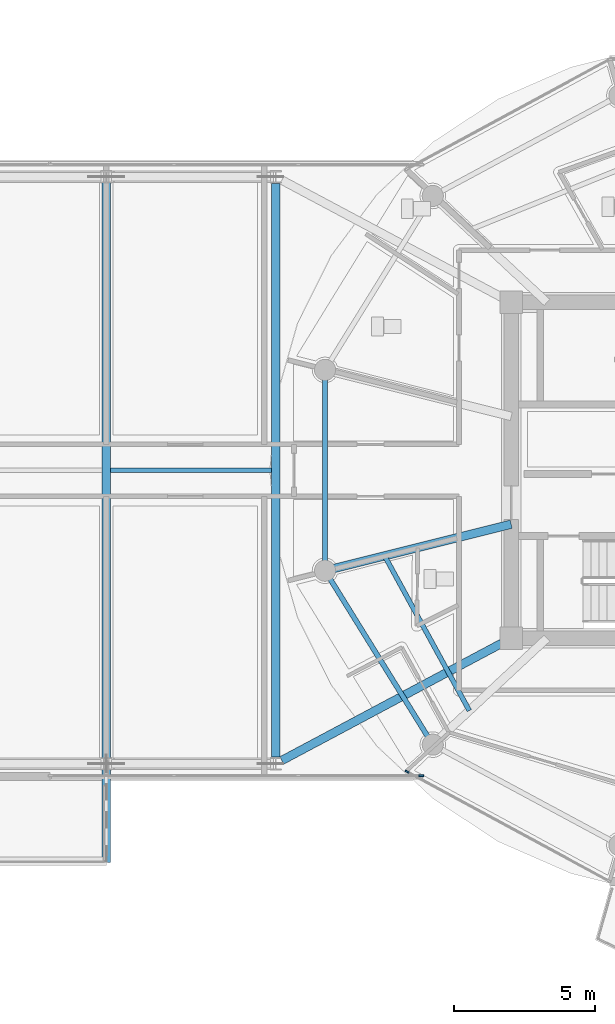
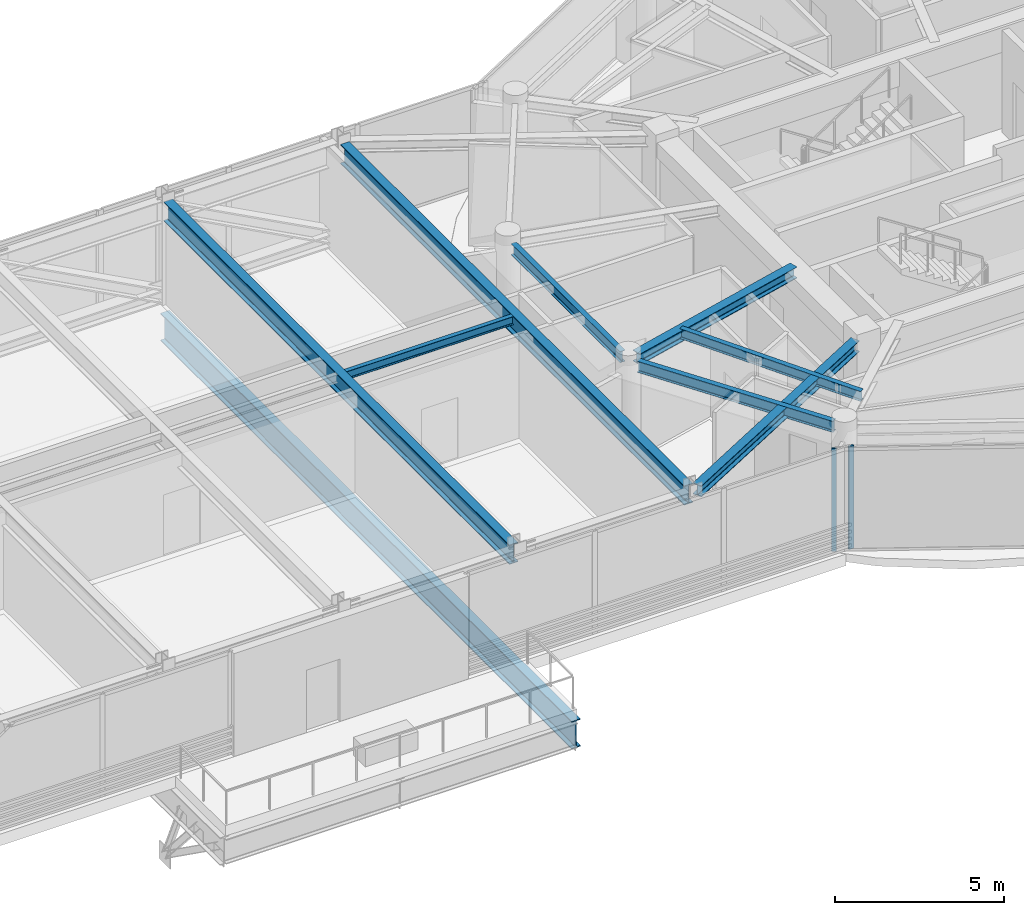
# One storey, part 7 of 31: 9 beams, 2 members, 2 elements without a shape of their own.
"""IFC4 building model written with IfcOpenShell, lengths in metres."""

from ifc_helpers import new_model, si_unit, direction, frame, origin, origin_2d, place, context, subcontext, project, spatial, rectangle, i_section, extrude, source, transform, mapped, material, layer, layer_set, material_profile, profile_set, type_object, type_shapes, element, aggregate, save


model = new_model("IFC4")

# Units and contexts
model_context = context("Model", 3, precision=1e-05, world=origin(), true_north=direction((0.0, 1.0)))
body_context = subcontext(model_context, "Body", "Model", "MODEL_VIEW")
ifc_project = project(units=[si_unit("LENGTHUNIT", "METRE"), si_unit("AREAUNIT", "SQUARE_METRE"), si_unit("VOLUMEUNIT", "CUBIC_METRE"), si_unit("PLANEANGLEUNIT", "RADIAN"), si_unit("MASSUNIT", "GRAM", prefix="KILO")], contexts=[model_context])

# Site, building, storey
site_placement = place(None, origin())
site = spatial("IfcSite", under=ifc_project, at=site_placement, CompositionType="ELEMENT")
building_placement = place(site_placement, origin())
building = spatial("IfcBuilding", under=site, at=building_placement, Name="Norrkilde Senior Care Towers", CompositionType="ELEMENT")
storey_placement = place(building_placement, frame((0.0, 0.0, 199.800048828125)))
storey = spatial("IfcBuildingStorey", under=building, at=storey_placement, Name="L62", CompositionType="ELEMENT", Elevation=199.800048828125)

# Beams
ifc_material_1 = material(Name="Steel S355", Category="steel")
ifc_material_profile_1 = material_profile(ifc_material_1, i_section(OverallWidth=0.179931640625, OverallDepth=0.39990234375, WebThickness=0.008544921875, FlangeThickness=0.013427734375, FilletRadius=0.02099609375, at=origin_2d()), Name="IPE 400")
ifc_profile_set_1 = profile_set([ifc_material_profile_1], Name="Steel S355")
beam_type_1 = type_object("IfcBeamType", Name="Perimeter Ring Spandrel Z4 IPE400", PredefinedType="SPANDREL", material=ifc_profile_set_1)
shared_shape_1 = source(origin(), body_context, "Body", "SweptSolid", [
    extrude(i_section(OverallWidth=0.179931640625, OverallDepth=0.39990234375, WebThickness=0.008544921875, FlangeThickness=0.013427734375, FilletRadius=0.02099609375, at=origin_2d()), origin(), (0.0, 0.0, 1.0), 6.58056640625),
])
beam_1_placement = place(storey_placement, frame((13.928955078125, -3.843505859375, 3.510009765625), z_axis=(0.526529583789, -0.850156807533, 0.0), x_axis=(0.850156807533, 0.526529583789, 0.0)))
element("IfcBeam", 1, at=beam_1_placement, inside=storey, type_object=beam_type_1, Name="L62 Drum E Perimeter Spandrel 07", PredefinedType="SPANDREL", context=body_context, shape_type="MappedRepresentation", body=[
    mapped(shared_shape_1, transform((0.0, 0.0, 0.0), x_axis=(1.0, 0.0, 0.0), y_axis=(0.0, 1.0, 0.0), z_axis=(0.0, 0.0, 1.0), scale=1.0)),
])
ifc_material_profile_2 = material_profile(ifc_material_1, i_section(OverallWidth=0.300048828125, OverallDepth=0.39990234375, WebThickness=0.013427734375, FlangeThickness=0.02392578125, FilletRadius=0.027099609375, at=origin_2d()), Name="HEB 400")
ifc_profile_set_2 = profile_set([ifc_material_profile_2], Name="Steel S355")
beam_type_2 = type_object("IfcBeamType", Name="Radial Floor Beam Z4 HEB400", PredefinedType="BEAM", material=ifc_profile_set_2)
shared_shape_2 = source(origin(), body_context, "Body", "SweptSolid", [
    extrude(i_section(OverallWidth=0.300048828125, OverallDepth=0.39990234375, WebThickness=0.013427734375, FlangeThickness=0.02392578125, FilletRadius=0.027099609375, at=origin_2d()), origin(), (0.0, 0.0, 1.0), 6.465087890625),
])
beam_2_placement = place(storey_placement, frame((20.35009765625, -1.910888671875, 3.510009765625), z_axis=(-0.970195788563, -0.242322371758, 0.0), x_axis=(0.242322371758, -0.970195788563, 0.0)))
element("IfcBeam", 2, at=beam_2_placement, inside=storey, type_object=beam_type_2, Name="L62 Drum E Radial Floor Beam 07", PredefinedType="BEAM", context=body_context, shape_type="MappedRepresentation", body=[
    mapped(shared_shape_2, transform((0.0, 0.0, 0.0), x_axis=(1.0, 0.0, 0.0), y_axis=(0.0, 1.0, 0.0), z_axis=(0.0, 0.0, 1.0), scale=1.0)),
])
shared_shape_3 = source(origin(), body_context, "Body", "SweptSolid", [
    extrude(i_section(OverallWidth=0.179931640625, OverallDepth=0.39990234375, WebThickness=0.008544921875, FlangeThickness=0.013427734375, FilletRadius=0.02099609375, at=origin_2d()), origin(), (0.0, 0.0, 1.0), 6.44775390625),
])
type_shapes(beam_type_1, [shared_shape_1, shared_shape_3])
beam_3_placement = place(storey_placement, frame((13.752685546875, 3.223876953125, 3.510009765625), z_axis=(0.0, -1.0, 0.0), x_axis=(1.0, 0.0, 0.0)))
element("IfcBeam", 3, at=beam_3_placement, inside=storey, type_object=beam_type_1, Name="L62 Drum E Perimeter Spandrel 06", PredefinedType="SPANDREL", context=body_context, shape_type="MappedRepresentation", body=[
    mapped(shared_shape_3, transform((0.0, 0.0, 0.0), x_axis=(1.0, 0.0, 0.0), y_axis=(0.0, 1.0, 0.0), z_axis=(0.0, 0.0, 1.0), scale=1.0)),
])
ifc_material_profile_3 = material_profile(ifc_material_1, i_section(OverallWidth=0.169921875, OverallDepth=0.360107421875, WebThickness=0.008056640625, FlangeThickness=0.0126953125, FilletRadius=0.01806640625, at=origin_2d()), Name="IPE 360")
ifc_profile_set_3 = profile_set([ifc_material_profile_3], Name="Steel S355")
beam_type_3 = type_object("IfcBeamType", Name="Secondary Floor Joist IPE360", PredefinedType="JOIST", material=ifc_profile_set_3)
shared_shape_4 = source(origin(), body_context, "Body", "SweptSolid", [
    extrude(i_section(OverallWidth=0.169921875, OverallDepth=0.360107421875, WebThickness=0.008056640625, FlangeThickness=0.0126953125, FilletRadius=0.01806640625, at=origin_2d()), origin(), (0.0, 0.0, 1.0), 6.25146484375),
])
type_shapes(beam_type_3, [shared_shape_4])
beam_4_placement = place(storey_placement, frame((15.86376953125, -3.031494140625, 3.530029296875), z_axis=(0.480115752653, -0.877205143655, 0.0), x_axis=(0.877205143655, 0.480115752653, 0.0)))
element("IfcBeam", 4, at=beam_4_placement, inside=storey, type_object=beam_type_3, Name="L62 Drum E Secondary Floor Joist 3", PredefinedType="JOIST", context=body_context, shape_type="MappedRepresentation", body=[
    mapped(shared_shape_4, transform((0.0, 0.0, 0.0), x_axis=(1.0, 0.0, 0.0), y_axis=(0.0, 1.0, 0.0), z_axis=(0.0, 0.0, 1.0), scale=1.0)),
])
ifc_material_profile_4 = material_profile(ifc_material_1, i_section(OverallWidth=0.300048828125, OverallDepth=0.699951171875, WebThickness=0.01708984375, FlangeThickness=0.031982421875, FilletRadius=0.027099609375, at=origin_2d()), Name="HEB 700")
ifc_profile_set_4 = profile_set([ifc_material_profile_4], Name="Steel S355")
beam_type_4 = type_object("IfcBeamType", Name="Bridge Cross Girder HEB700", PredefinedType="USERDEFINED", material=ifc_profile_set_4)
shared_shape_5 = source(origin(), body_context, "Body", "SweptSolid", [
    extrude(i_section(OverallWidth=0.300048828125, OverallDepth=0.699951171875, WebThickness=0.01708984375, FlangeThickness=0.031982421875, FilletRadius=0.027099609375, at=origin_2d()), origin(), (0.0, 0.0, 1.0), 20.31982421875),
])
beam_5_placement = place(storey_placement, frame((12.0, -10.159912109375, 3.35986328125), z_axis=(0.0, 1.0, 0.0), x_axis=(-1.0, 0.0, 0.0)))
element("IfcBeam", 5, at=beam_5_placement, inside=storey, type_object=beam_type_4, Name="L62 Sky-Gate Bridge Cross Girder +12", ObjectType="GIRDER", PredefinedType="USERDEFINED", context=body_context, shape_type="MappedRepresentation", body=[
    mapped(shared_shape_5, transform((0.0, 0.0, 0.0), x_axis=(1.0, 0.0, 0.0), y_axis=(0.0, 1.0, 0.0), z_axis=(0.0, 0.0, 1.0), scale=1.0)),
])
shared_shape_6 = source(origin(), body_context, "Body", "SweptSolid", [
    extrude(i_section(OverallWidth=0.300048828125, OverallDepth=0.699951171875, WebThickness=0.01708984375, FlangeThickness=0.031982421875, FilletRadius=0.027099609375, at=origin_2d()), origin(), (0.0, 0.0, 1.0), 20.43994140625),
])
type_shapes(beam_type_4, [shared_shape_5, shared_shape_6])
beam_6_placement = place(storey_placement, frame((6.0, -10.219970703125, 3.35986328125), z_axis=(0.0, 1.0, 0.0), x_axis=(-1.0, 0.0, 0.0)))
element("IfcBeam", 6, at=beam_6_placement, inside=storey, type_object=beam_type_4, Name="L62 Sky-Gate Bridge Cross Girder +6", ObjectType="GIRDER", PredefinedType="USERDEFINED", context=body_context, shape_type="MappedRepresentation", body=[
    mapped(shared_shape_6, transform((0.0, 0.0, 0.0), x_axis=(1.0, 0.0, 0.0), y_axis=(0.0, 1.0, 0.0), z_axis=(0.0, 0.0, 1.0), scale=1.0)),
])
shared_shape_7 = source(origin(), body_context, "Body", "SweptSolid", [
    extrude(i_section(OverallWidth=0.300048828125, OverallDepth=0.39990234375, WebThickness=0.013427734375, FlangeThickness=0.02392578125, FilletRadius=0.027099609375, at=origin_2d()), origin(), (0.0, 0.0, 1.0), 8.831787109375),
])
type_shapes(beam_type_2, [shared_shape_2, shared_shape_7])
beam_7_placement = place(storey_placement, frame((12.220703125, -10.282470703125, 3.510009765625), z_axis=(0.882492172381, 0.470327083727, 0.0), x_axis=(-0.470327083727, 0.882492172381, 0.0)))
element("IfcBeam", 7, at=beam_7_placement, inside=storey, type_object=beam_type_2, Name="L62 Sky-Gate Bridge Girder S6", PredefinedType="BEAM", context=body_context, shape_type="MappedRepresentation", body=[
    mapped(shared_shape_7, transform((0.0, 0.0, 0.0), x_axis=(1.0, 0.0, 0.0), y_axis=(0.0, 1.0, 0.0), z_axis=(0.0, 0.0, 1.0), scale=1.0)),
])
ifc_material_profile_5 = material_profile(ifc_material_1, i_section(OverallWidth=0.14990234375, OverallDepth=0.300048828125, WebThickness=0.007080078125, FlangeThickness=0.0107421875, FilletRadius=0.014892578125, at=origin_2d()), Name="IPE 300")
ifc_profile_set_5 = profile_set([ifc_material_profile_5], Name="Steel S355")
beam_type_5 = type_object("IfcBeamType", Name="Bridge Deck Joist IPE300", PredefinedType="JOIST", material=ifc_profile_set_5)
shared_shape_8 = source(origin(), body_context, "Body", "SweptSolid", [
    extrude(i_section(OverallWidth=0.14990234375, OverallDepth=0.300048828125, WebThickness=0.007080078125, FlangeThickness=0.0107421875, FilletRadius=0.014892578125, at=origin_2d()), origin(), (0.0, 0.0, 1.0), 5.7099609375),
])
type_shapes(beam_type_5, [shared_shape_8])
beam_8_placement = place(storey_placement, frame((6.14501953125, 0.0, 3.56005859375), z_axis=(1.0, 0.0, 0.0), x_axis=(0.0, 1.0, 0.0)))
element("IfcBeam", 8, at=beam_8_placement, inside=storey, type_object=beam_type_5, Name="L62 Bridge Deck Joist 4", PredefinedType="JOIST", context=body_context, shape_type="MappedRepresentation", body=[
    mapped(shared_shape_8, transform((0.0, 0.0, 0.0), x_axis=(1.0, 0.0, 0.0), y_axis=(0.0, 1.0, 0.0), z_axis=(0.0, 0.0, 1.0), scale=1.0)),
])
ifc_material_profile_6 = material_profile(ifc_material_1, i_section(OverallWidth=0.300048828125, OverallDepth=1.0, WebThickness=0.01904296875, FlangeThickness=0.035888671875, FilletRadius=0.030029296875, at=origin_2d()), Name="HEB 1000")
ifc_profile_set_6 = profile_set([ifc_material_profile_6], Name="Steel S355")
beam_type_6 = type_object("IfcBeamType", Name="Sky Pool Cantilever Girder HEB1000", PredefinedType="USERDEFINED", material=ifc_profile_set_6)
shared_shape_9 = source(origin(), body_context, "Body", "SweptSolid", [
    extrude(i_section(OverallWidth=0.300048828125, OverallDepth=1.0, WebThickness=0.01904296875, FlangeThickness=0.035888671875, FilletRadius=0.030029296875, at=origin_2d()), origin(), (0.0, 0.0, 1.0), 24.2998046875),
])
type_shapes(beam_type_6, [shared_shape_9])
beam_9_placement = place(storey_placement, frame((6.0, 10.39990234375, -0.920166015625), z_axis=(0.0, -1.0, 0.0), x_axis=(1.0, 0.0, 0.0)))
element("IfcBeam", 9, at=beam_9_placement, inside=storey, type_object=beam_type_6, Name="L62 Sky Pool Cantilever Girder 3", ObjectType="GIRDER", PredefinedType="USERDEFINED", context=body_context, shape_type="MappedRepresentation", body=[
    mapped(shared_shape_9, transform((0.0, 0.0, 0.0), x_axis=(1.0, 0.0, 0.0), y_axis=(0.0, 1.0, 0.0), z_axis=(0.0, 0.0, 1.0), scale=1.0)),
])

# Curtain wall, member
ifc_material_2 = material(Name="Triple Low-E Insulated Glazing", Category="glass")
ifc_layer_1 = layer(ifc_material_2, 0.18505859375)
ifc_layer_set_1 = layer_set([ifc_layer_1], Name="Triple Low-E Insulated Glazing")
curtain_wall_type_1 = type_object("IfcCurtainWallType", Name="CW6 Zone 4 Crown Pavilion Curtain Wall", PredefinedType="NOTDEFINED", material=ifc_layer_set_1)
curtain_wall_1_placement = place(storey_placement, origin())
curtain_wall_1 = element("IfcCurtainWall", 10, at=curtain_wall_1_placement, inside=storey, type_object=curtain_wall_type_1, Name="L62 Drum E Curtain Wall 07", PredefinedType="NOTDEFINED")
ifc_material_3 = material(Name="Anodised Aluminium", Category="aluminium")
ifc_material_profile_7 = material_profile(ifc_material_3, rectangle(XDim=0.06494140625, YDim=0.14990234375, at=origin_2d()), Name="ALU MULL 65x150")
ifc_profile_set_7 = profile_set([ifc_material_profile_7], Name="Anodised Aluminium")
member_type_1 = type_object("IfcMemberType", Name="Curtain Wall Mullion Z3-Z4 65x150", PredefinedType="MULLION", material=ifc_profile_set_7)
shared_shape_10 = source(origin(), body_context, "Body", "SweptSolid", [
    extrude(rectangle(XDim=0.06494140625, YDim=0.14990234375, at=origin_2d()), origin(), (0.0, 0.0, 1.0), 3.7099609375),
])
type_shapes(member_type_1, [shared_shape_10])
member_1_placement = place(storey_placement, frame((16.658203125, -10.6787109375, 0.0), z_axis=(0.0, 0.0, 1.0), x_axis=(-0.476132676136, -0.879373455772, 0.0)))
member_1 = element("IfcMember", 11, at=member_1_placement, type_object=member_type_1, Name="CW-6 mullion 2", PredefinedType="MULLION", context=body_context, shape_type="MappedRepresentation", body=[
    mapped(shared_shape_10, transform((0.0, 0.0, 0.0), x_axis=(1.0, 0.0, 0.0), y_axis=(0.0, 1.0, 0.0), z_axis=(0.0, 0.0, 1.0), scale=1.0)),
])
aggregate(curtain_wall_1, [member_1])

ifc_layer_2 = layer(ifc_material_2, 0.2099609375)
ifc_layer_set_2 = layer_set([ifc_layer_2], Name="Triple Low-E Insulated Glazing")
curtain_wall_type_2 = type_object("IfcCurtainWallType", Name="CW5 Sky-Gate Bridge Curtain Wall", PredefinedType="NOTDEFINED", material=ifc_layer_set_2)
curtain_wall_2_placement = place(storey_placement, origin())
curtain_wall_2 = element("IfcCurtainWall", 12, at=curtain_wall_2_placement, inside=storey, type_object=curtain_wall_type_2, Name="L62 Sky-Gate Bridge South Curtain Wall 1", PredefinedType="NOTDEFINED")
ifc_material_profile_8 = material_profile(ifc_material_3, rectangle(XDim=0.070068359375, YDim=0.169921875, at=origin_2d()), Name="ALU MULL 70x170")
ifc_profile_set_8 = profile_set([ifc_material_profile_8], Name="Anodised Aluminium")
member_type_2 = type_object("IfcMemberType", Name="Curtain Wall Mullion Heavy 70x170", PredefinedType="MULLION", material=ifc_profile_set_8)
shared_shape_11 = source(origin(), body_context, "Body", "SweptSolid", [
    extrude(rectangle(XDim=0.070068359375, YDim=0.169921875, at=origin_2d()), origin(), (0.0, 0.0, 1.0), 3.7099609375),
])
type_shapes(member_type_2, [shared_shape_11])
member_2_placement = place(storey_placement, frame((17.1650390625, -10.820068359375, 0.0), z_axis=(0.0, 0.0, 1.0), x_axis=(0.0, -1.0, 0.0)))
member_2 = element("IfcMember", 13, at=member_2_placement, type_object=member_type_2, Name="CW-5 mullion 1", PredefinedType="MULLION", context=body_context, shape_type="MappedRepresentation", body=[
    mapped(shared_shape_11, transform((0.0, 0.0, 0.0), x_axis=(1.0, 0.0, 0.0), y_axis=(0.0, 1.0, 0.0), z_axis=(0.0, 0.0, 1.0), scale=1.0)),
])
aggregate(curtain_wall_2, [member_2])

save(model, "model.ifc")
